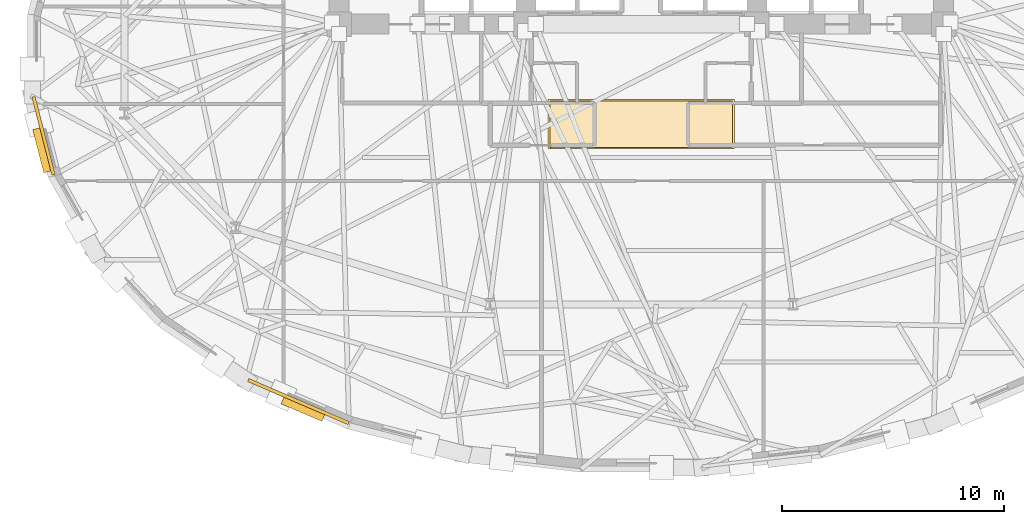
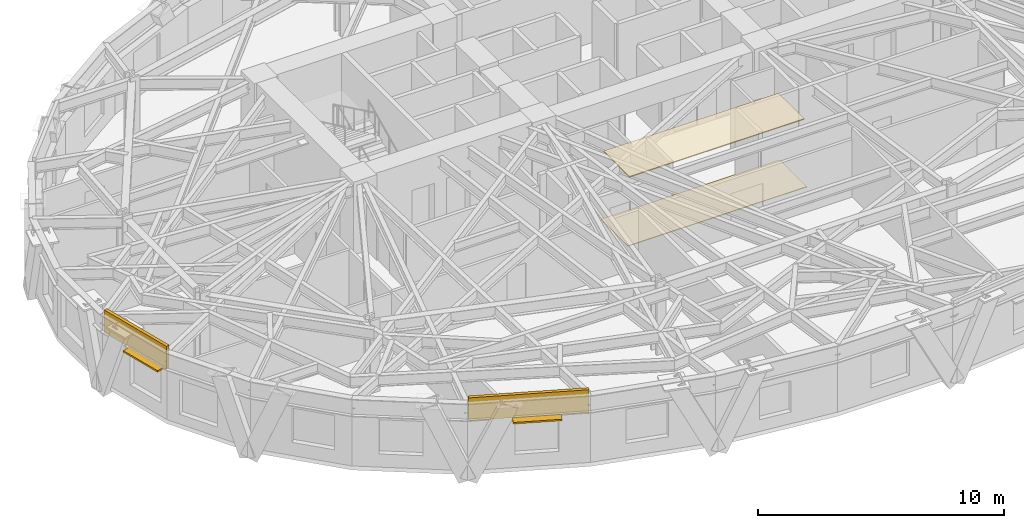
# One storey, part 11 of 14: 4 coverings, 2 shading devices.
"""IFC4 building model written with IfcOpenShell, lengths in metres."""

from ifc_helpers import new_model, si_unit, direction, frame, origin, origin_2d, place, context, subcontext, project, spatial, rectangle, extrude, material, layer, layer_set, type_object, element, save


model = new_model("IFC4")

# Units and contexts
model_context = context("Model", 3, precision=1e-05, world=origin(), true_north=direction((0.0, 1.0)))
body_context = subcontext(model_context, "Body", "Model", "MODEL_VIEW")
ifc_project = project(units=[si_unit("LENGTHUNIT", "METRE"), si_unit("AREAUNIT", "SQUARE_METRE"), si_unit("VOLUMEUNIT", "CUBIC_METRE"), si_unit("PLANEANGLEUNIT", "RADIAN"), si_unit("MASSUNIT", "GRAM", prefix="KILO")], contexts=[model_context])

# Site, building, storey
site_placement = place(None, origin())
site = spatial("IfcSite", under=ifc_project, at=site_placement, CompositionType="ELEMENT")
building_placement = place(site_placement, origin())
building = spatial("IfcBuilding", under=site, at=building_placement, Name="Keldmark Tower", CompositionType="ELEMENT")
storey_placement = place(building_placement, frame((0.0, 0.0, 48.60009765625)))
storey = spatial("IfcBuildingStorey", under=building, at=storey_placement, Name="L12", CompositionType="ELEMENT", Elevation=48.60009765625)

# Shading devices
ifc_material_1 = material(Name="Kasota Buff Limestone Bullnose and Bronze Anodized Aluminum", Category="masonry")
ifc_layer_1 = layer(ifc_material_1, 0.080078125)
ifc_layer_set_1 = layer_set([ifc_layer_1], Name="Kasota Buff Limestone Bullnose and Bronze Anodized Aluminum")
shading_device_type = type_object("IfcShadingDeviceType", Name="Deep-Set Punched Window Stone-and-Metal Sunshade", PredefinedType="AWNING", material=ifc_layer_set_1)
for number, where, z_axis, x_axis, name in (
    (1, (-26.92578125, -4.264892578125, 2.35986328125), (0.0, 0.0, 1.0), (-0.248098167018, 0.96873489641, 0.0), "L12 Kasota Stone Window Sunshade 17"),
    (2, (-15.20361328125, -15.881591796875, 2.35986328125), (0.0, 0.0, 1.0), (-0.91888763684, 0.394519341558, 0.0), "L12 Kasota Stone Window Sunshade 21"),
):
    element("IfcShadingDevice", number, at=place(storey_placement, frame(where, z_axis=z_axis, x_axis=x_axis)), inside=storey, type_object=shading_device_type, Name=name, PredefinedType="AWNING", context=body_context, shape_type="SweptSolid", body=[
        extrude(rectangle(XDim=2.0, YDim=0.419921875, at=origin_2d()), origin(), (0.0, 0.0, 1.0), 0.080078125),
    ])

# Coverings
ifc_material_2 = material(Name="FSC-Certified Quarter-Sawn White Oak", Category="wood")
ifc_layer_2 = layer(ifc_material_2, 0.02197265625)
ifc_layer_set_2 = layer_set([ifc_layer_2], Name="FSC-Certified Quarter-Sawn White Oak")
covering_type_1 = type_object("IfcCoveringType", Name="Engineered White Oak Residence Flooring 22 mm", PredefinedType="FLOORING", material=ifc_layer_set_2)
covering_1_placement = place(storey_placement, frame((0.0, -3.10009765625, 0.0), z_axis=(0.0, 0.0, 1.0), x_axis=(1.0, 0.0, 0.0)))
element("IfcCovering", 3, at=covering_1_placement, inside=storey, type_object=covering_type_1, Name="L12 Lift Lobby Finish Flooring", PredefinedType="FLOORING", context=body_context, shape_type="SweptSolid", body=[
    extrude(rectangle(XDim=8.39990234375, YDim=2.199951171875, at=origin_2d()), origin(), (0.0, 0.0, 1.0), 0.030029296875),
])
ifc_material_3 = material(Name="Honed Kasota Buff Dolomitic Limestone", Category="masonry")
ifc_layer_3 = layer(ifc_material_3, 0.074951171875)
ifc_layer_set_3 = layer_set([ifc_layer_3], Name="Honed Kasota Buff Dolomitic Limestone")
covering_type_2 = type_object("IfcCoveringType", Name="Kasota Buff Limestone Spandrel Cladding Band", PredefinedType="CLADDING", material=ifc_layer_set_3)
covering_2_placement = place(storey_placement, frame((-26.8955078125, -3.61669921875, 2.452880859375), z_axis=(0.0, 0.0, 1.0), x_axis=(0.248098167018, -0.96873489641, 0.0)))
element("IfcCovering", 4, at=covering_2_placement, inside=storey, type_object=covering_type_2, Name="L12 Kasota Limestone Spandrel Band 17", PredefinedType="CLADDING", context=body_context, shape_type="SweptSolid", body=[
    extrude(rectangle(XDim=3.618896484375, YDim=0.14990234375, at=origin_2d()), origin(), (0.0, 0.0, 1.0), 1.126953125),
])
covering_3_placement = place(storey_placement, frame((-15.426513671875, -15.5791015625, 2.452880859375), z_axis=(0.0, 0.0, 1.0), x_axis=(0.91888763684, -0.394519341558, 0.0)))
element("IfcCovering", 5, at=covering_3_placement, inside=storey, type_object=covering_type_2, Name="L12 Kasota Limestone Spandrel Band 21", PredefinedType="CLADDING", context=body_context, shape_type="SweptSolid", body=[
    extrude(rectangle(XDim=4.922119140625, YDim=0.14990234375, at=origin_2d()), origin(), (0.0, 0.0, 1.0), 1.126953125),
])
ifc_material_4 = material(Name="Perforated Acoustic Gypsum and Recycled Mineral Wool", Category="gypsum")
ifc_layer_4 = layer(ifc_material_4, 0.044921875)
ifc_layer_set_4 = layer_set([ifc_layer_4], Name="Perforated Acoustic Gypsum and Recycled Mineral Wool")
covering_type_3 = type_object("IfcCoveringType", Name="Suspended Acoustic Mineral-Fiber Ceiling 45 mm", PredefinedType="CEILING", material=ifc_layer_set_4)
covering_4_placement = place(storey_placement, frame((0.0, -3.10009765625, 3.35498046875), z_axis=(0.0, 0.0, 1.0), x_axis=(1.0, 0.0, 0.0)))
element("IfcCovering", 6, at=covering_4_placement, inside=storey, type_object=covering_type_3, Name="L12 Lift Lobby Acoustic Ceiling", PredefinedType="CEILING", context=body_context, shape_type="SweptSolid", body=[
    extrude(rectangle(XDim=8.199951171875, YDim=2.10009765625, at=origin_2d()), origin(), (0.0, 0.0, 1.0), 0.044921875),
])

save(model, "model.ifc")
